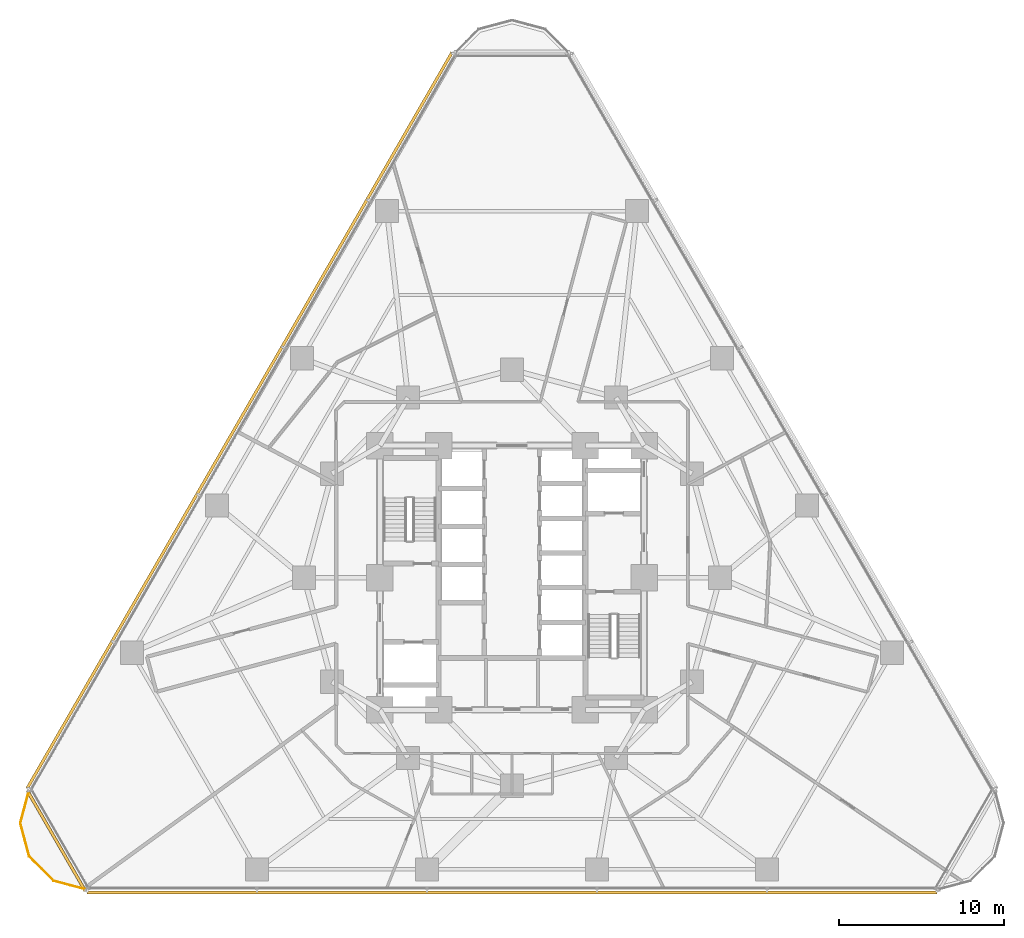
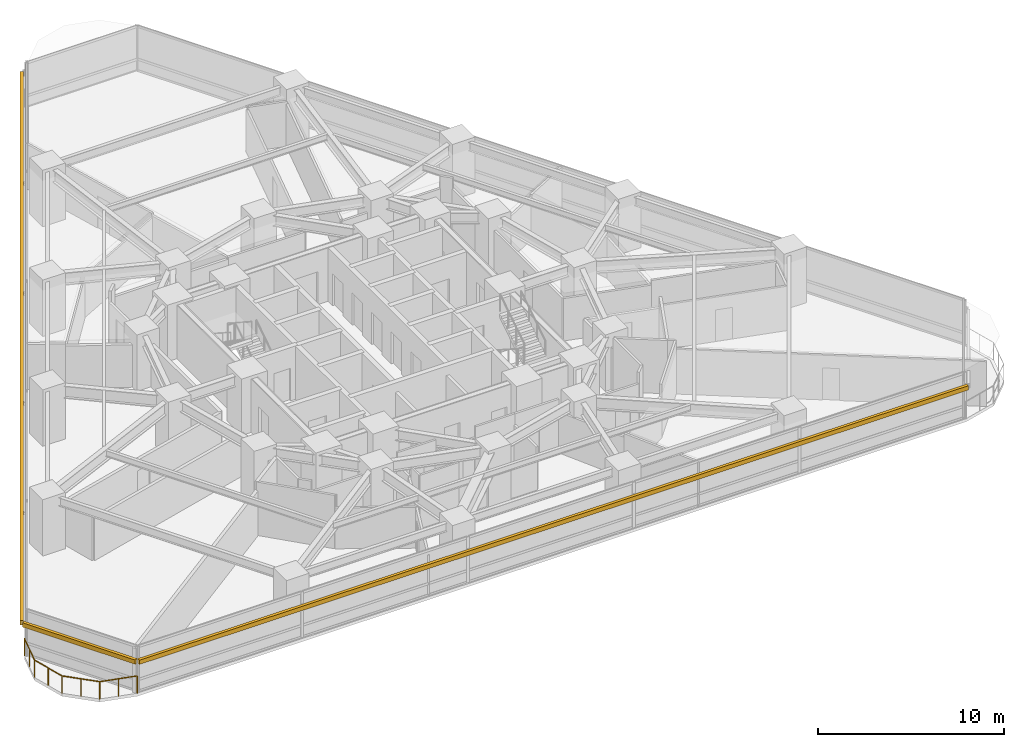
# One storey, part 13 of 16: 3 shading devices, 1 railing.
"""IFC4 building model written with IfcOpenShell, lengths in metres."""

from ifc_helpers import new_model, si_unit, direction, frame, origin, origin_2d, place, context, subcontext, project, spatial, rectangle, circle, extrude, material, layer, layer_set, type_object, element, save


model = new_model("IFC4")

# Units and contexts
model_context = context("Model", 3, precision=1e-05, world=origin(), true_north=direction((0.0, 1.0)))
body_context = subcontext(model_context, "Body", "Model", "MODEL_VIEW")
ifc_project = project(units=[si_unit("LENGTHUNIT", "METRE"), si_unit("AREAUNIT", "SQUARE_METRE"), si_unit("VOLUMEUNIT", "CUBIC_METRE"), si_unit("PLANEANGLEUNIT", "RADIAN"), si_unit("MASSUNIT", "GRAM", prefix="KILO")], contexts=[model_context])

# Site, building, storey
site_placement = place(None, origin())
site = spatial("IfcSite", under=ifc_project, at=site_placement, CompositionType="ELEMENT")
building_placement = place(site_placement, origin())
building = spatial("IfcBuilding", under=site, at=building_placement, Name="Terralouvre Media Tower", CompositionType="ELEMENT")
storey_placement = place(building_placement, frame((0.0, 0.0, 40.800048828125)))
storey = spatial("IfcBuildingStorey", under=building, at=storey_placement, Name="L09", CompositionType="ELEMENT", Elevation=40.800048828125)

# Railing
ifc_material_1 = material(Name="Stainless steel 316 handrail and balustrade", Category="steel")
ifc_layer = layer(ifc_material_1, 0.06005859375, Name="Roof Edge Safety Guardrail GR-ROOF1")
ifc_layer_set = layer_set([ifc_layer], Name="Stainless steel 316 handrail and balustrade")
railing_type = type_object("IfcRailingType", Name="Roof Edge Safety Guardrail GR-ROOF1", PredefinedType="GUARDRAIL", material=ifc_layer_set)
railing_placement = place(storey_placement, frame((-29.24365234375, -12.835693359375, 0.0)))
element("IfcRailing", 1, at=railing_placement, inside=storey, type_object=railing_type, Name="L09 Wind-Corner Perimeter Safety Guardrail C0", PredefinedType="GUARDRAIL", context=body_context, shape_type="SweptSolid", body=[
    extrude(circle(Radius=0.02099609375, at=origin_2d()), frame((0.0, 0.0, 1.12890625), z_axis=(-0.259054358605, -0.965862743503, 0.0), x_axis=(0.965862743503, -0.259054358605, 0.0)), (0.0, 0.0, 1.0), 2.095947265625),
    extrude(circle(Radius=0.02099609375, at=origin_2d()), frame((-0.54296875, -2.0244140625, 1.12890625), z_axis=(0.258757438042, -0.965942331745, 0.0), x_axis=(0.965942331745, 0.258757438042, 0.0)), (0.0, 0.0, 1.0), 2.095458984375),
    extrude(circle(Radius=0.02099609375, at=origin_2d()), frame((-0.000732421875, -4.048583984375, 1.12890625), z_axis=(0.707165029613, -0.707048527961, 0.0), x_axis=(0.707048527961, 0.707165029613, 0.0)), (0.0, 0.0, 1.0), 2.095703125),
    extrude(circle(Radius=0.02099609375, at=origin_2d()), frame((1.481201171875, -5.5302734375, 1.12890625), z_axis=(0.965987029675, -0.258590522836, 0.0), x_axis=(0.258590522836, 0.965987029675, 0.0)), (0.0, 0.0, 1.0), 2.095947265625),
    extrude(circle(Radius=0.01904296875, at=origin_2d()), origin(), (0.0, 0.0, 1.0), 1.10791015625),
    extrude(circle(Radius=0.01904296875, at=origin_2d()), frame((-0.271484375, -1.01220703125, 0.0)), (0.0, 0.0, 1.0), 1.10791015625),
    extrude(circle(Radius=0.01904296875, at=origin_2d()), frame((-0.54296875, -2.0244140625, 0.0)), (0.0, 0.0, 1.0), 1.10791015625),
    extrude(circle(Radius=0.01904296875, at=origin_2d()), frame((-0.27197265625, -3.03662109375, 0.0)), (0.0, 0.0, 1.0), 1.10791015625),
    extrude(circle(Radius=0.01904296875, at=origin_2d()), frame((-0.000732421875, -4.048583984375, 0.0)), (0.0, 0.0, 1.0), 1.10791015625),
    extrude(circle(Radius=0.01904296875, at=origin_2d()), frame((0.740234375, -4.78955078125, 0.0)), (0.0, 0.0, 1.0), 1.10791015625),
    extrude(circle(Radius=0.01904296875, at=origin_2d()), frame((1.481201171875, -5.5302734375, 0.0)), (0.0, 0.0, 1.0), 1.10791015625),
    extrude(circle(Radius=0.01904296875, at=origin_2d()), frame((2.49365234375, -5.80126953125, 0.0)), (0.0, 0.0, 1.0), 1.10791015625),
    extrude(circle(Radius=0.01904296875, at=origin_2d()), frame((3.505859375, -6.072265625, 0.0)), (0.0, 0.0, 1.0), 1.10791015625),
])

# Shading devices
ifc_material_2 = material(Name="Extruded terracotta baguette sunshade louvres", Category="masonry")
shading_device_type = type_object("IfcShadingDeviceType", Name="Terracotta Baguette Sunshade Louvre Screen TB-LV1", PredefinedType="USERDEFINED", material=ifc_material_2)
for number, where, z_axis, x_axis, name in (
    (2, (0.0, -19.056884765625, 2.02392578125), (0.0, 0.0, 1.0), (1.0, 0.0, 0.0), "CW-L09-F0 Terracotta Baguette Sunshade Louvre"),
    (3, (-16.503662109375, 9.5283203125, 2.02392578125), (0.0, 0.0, 1.0), (-0.499999985671, -0.866025412057, 0.0), "CW-L09-F2 Terracotta Baguette Sunshade Louvre"),
):
    element("IfcShadingDevice", number, at=place(storey_placement, frame(where, z_axis=z_axis, x_axis=x_axis)), inside=storey, type_object=shading_device_type, Name=name, ObjectType="BAGUETTE", PredefinedType="USERDEFINED", context=body_context, shape_type="SweptSolid", body=[
        extrude(rectangle(XDim=51.5, YDim=0.179931640625, at=origin_2d()), origin(), (0.0, 0.0, 1.0), 0.280029296875),
    ])
shading_device_placement = place(storey_placement, frame((-27.607666015625, -15.939208984375, 2.02392578125), z_axis=(0.0, 0.0, 1.0), x_axis=(0.499999691503, -0.866025581895, 0.0)))
element("IfcShadingDevice", 4, at=shading_device_placement, inside=storey, type_object=shading_device_type, Name="CW-L09-C0 Terracotta Baguette Sunshade Louvre", ObjectType="BAGUETTE", PredefinedType="USERDEFINED", context=body_context, shape_type="SweptSolid", body=[
    extrude(rectangle(XDim=7.014892578125, YDim=0.179931640625, at=origin_2d()), origin(), (0.0, 0.0, 1.0), 0.280029296875),
])

save(model, "model.ifc")
